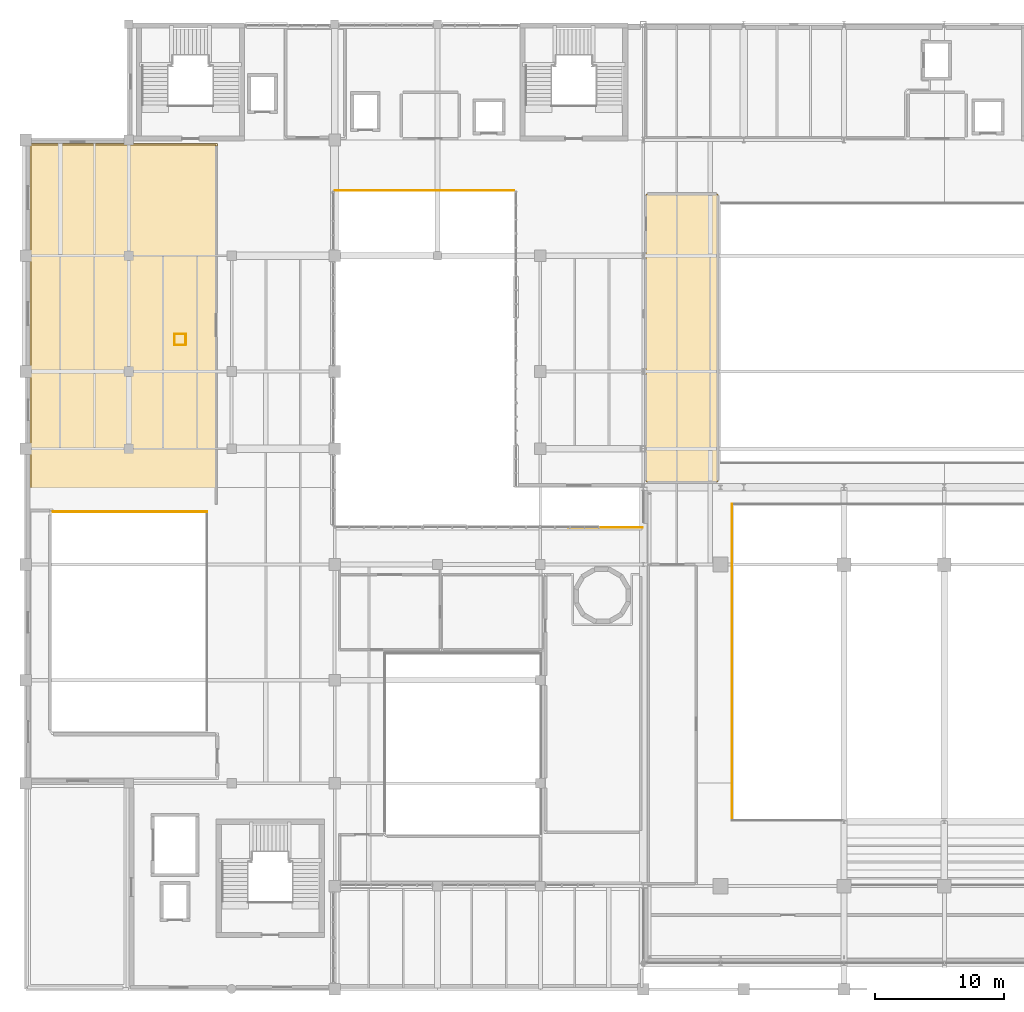
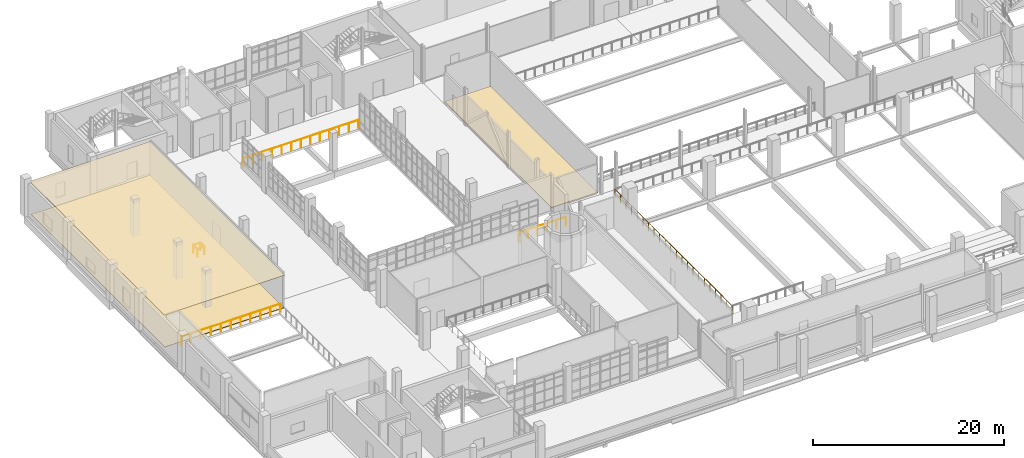
# One storey, part 99 of 102: 8 railings, 3 coverings.
"""IFC4 building model written with IfcOpenShell, lengths in metres."""

import ifcopenshell
import ifcopenshell.guid

model = None  # the IFC model being written
_history = None  # IfcOwnerHistory: only IFC2X3 demands one
_inside = {}  # id of a spatial element -> (the spatial element, [elements in it])
_under = {}  # id of a project, library or spatial element -> (it, [spatial elements below it])
_declared = {}  # id of a project -> (the project, [libraries it declares])
_typed = {}  # id of a type object -> (the type object, [elements of that type])
_made_of = {}  # id of a material, layer set ... -> (it, [elements and type objects made of it])


def new_model(schema):
    """Start an empty IFC model of exactly this schema.

    Asked for "IFC4X3", IfcOpenShell would pick the latest addendum, in which some entities
    have other attributes; the version numbers below select the first issue.
    IFC2X3 requires an IfcOwnerHistory on every rooted entity: one is made here for all.
    """
    global model, _history
    if schema == "IFC4X3":
        model = ifcopenshell.file(schema_version=(4, 3, 0, 0))
    else:
        model = ifcopenshell.file(schema=schema)
    _inside.clear()
    _under.clear()
    _declared.clear()
    _typed.clear()
    _made_of.clear()
    _history = None
    if model.schema == "IFC2X3":
        org = make("IfcOrganization", Name="unknown")
        user = make(
            "IfcPersonAndOrganization",
            ThePerson=make("IfcPerson", FamilyName="unknown"),
            TheOrganization=org,
        )
        app = make(
            "IfcApplication",
            ApplicationDeveloper=org,
            Version="unknown",
            ApplicationFullName="unknown",
            ApplicationIdentifier="unknown",
        )
        _history = make(
            "IfcOwnerHistory",
            OwningUser=user,
            OwningApplication=app,
            ChangeAction="ADDED",
            CreationDate=0,
        )
    return model


def make(cls, **values):
    """One entity of the class cls with the attributes given. An attribute that is None is left unset."""
    return model.create_entity(
        cls, **{name: value for name, value in values.items() if value is not None}
    )


def rooted(cls, **values):
    """An entity with a GlobalId (a new one), such as an element, a storey or a relation."""
    return make(cls, GlobalId=ifcopenshell.guid.new(), OwnerHistory=_history, **values)


def si_unit(unit_type, name, prefix=None):
    """IfcSIUnit, for example si_unit("LENGTHUNIT", "METRE", prefix="MILLI")."""
    return make("IfcSIUnit", UnitType=unit_type, Prefix=prefix, Name=name)


def derived_unit(unit_type, elements):
    """IfcDerivedUnit: a product of units, each with its exponent."""
    return make(
        "IfcDerivedUnit",
        Elements=[
            make("IfcDerivedUnitElement", Unit=unit, Exponent=power)
            for unit, power in elements
        ],
        UnitType=unit_type,
    )


def assignment(units):
    """IfcUnitAssignment: the units of a project."""
    return None if units is None else make("IfcUnitAssignment", Units=units)


def point(xyz):
    """IfcCartesianPoint."""
    return None if xyz is None else make("IfcCartesianPoint", Coordinates=xyz)


def direction(xyz):
    """IfcDirection."""
    return None if xyz is None else make("IfcDirection", DirectionRatios=xyz)


def frame(location, z_axis=None, x_axis=None):
    """IfcAxis2Placement3D, a coordinate frame: its origin and axes. An axis left out is left unset."""
    return make(
        "IfcAxis2Placement3D",
        Location=point(location),
        Axis=direction(z_axis),
        RefDirection=direction(x_axis),
    )


def frame_2d(location, x_axis=None):
    """IfcAxis2Placement2D, a coordinate frame in the plane: its origin and x axis."""
    return make(
        "IfcAxis2Placement2D", Location=point(location), RefDirection=direction(x_axis)
    )


def origin():
    """The frame at (0, 0, 0) with its axes left unset."""
    return frame((0.0, 0.0, 0.0))


def origin_2d():
    """The frame at (0, 0) in the plane with its x axis left unset."""
    return frame_2d((0.0, 0.0))


def place(relative_to, where):
    """IfcLocalPlacement: puts the frame where relative to a parent placement (None: the world)."""
    return make(
        "IfcLocalPlacement", PlacementRelTo=relative_to, RelativePlacement=where
    )


def context(
    kind, dimensions, precision=None, world=None, true_north=None, identifier=None
):
    """IfcGeometricRepresentationContext, for example the 3D "Model" context."""
    return make(
        "IfcGeometricRepresentationContext",
        ContextIdentifier=identifier,
        ContextType=kind,
        CoordinateSpaceDimension=dimensions,
        Precision=precision,
        WorldCoordinateSystem=world,
        TrueNorth=true_north,
    )


def subcontext(parent, identifier, kind, view, scale=None):
    """IfcGeometricRepresentationSubContext, for example "Body" below "Model"."""
    return make(
        "IfcGeometricRepresentationSubContext",
        ContextIdentifier=identifier,
        ContextType=kind,
        ParentContext=parent,
        TargetScale=scale,
        TargetView=view,
    )


def project(units=None, contexts=None):
    """IfcProject with its units and contexts."""
    return rooted(
        "IfcProject",
        Name="project",
        RepresentationContexts=contexts,
        UnitsInContext=assignment(units),
    )


def spatial(cls, under=None, at=None, **own):
    """A site, building, storey or space (cls), placed at a placement, below another one or the project."""
    s = rooted(cls, ObjectPlacement=at, **own)
    if under is not None:
        _under.setdefault(under.id(), (under, []))[1].append(s)
    return s


def polyline(points):
    """IfcPolyline through the points."""
    return make("IfcPolyline", Points=[point(p) for p in points])


def profile(cls, at=None, kind="AREA", **sizes):
    """A parametric profile (cls). Its sizes go by their IFC names, for example OverallWidth=200.0."""
    return make(cls, ProfileType=kind, Position=at, **sizes)


def circle(**sizes):
    """IfcCircleProfileDef."""
    return profile("IfcCircleProfileDef", **sizes)


def outline(outer, holes=None, kind="AREA"):
    """IfcArbitraryClosedProfileDef: a profile drawn as a closed curve; with holes, ...WithVoids."""
    if holes is None:
        return make("IfcArbitraryClosedProfileDef", ProfileType=kind, OuterCurve=outer)
    return make(
        "IfcArbitraryProfileDefWithVoids",
        ProfileType=kind,
        OuterCurve=outer,
        InnerCurves=holes,
    )


def extrude(swept, where, along, depth):
    """IfcExtrudedAreaSolid: the profile swept, set in the frame where, extruded along a direction by depth."""
    return make(
        "IfcExtrudedAreaSolid",
        SweptArea=swept,
        Position=where,
        ExtrudedDirection=direction(along),
        Depth=depth,
    )


def shape(context_of_items, identifier, shape_type, items):
    """IfcShapeRepresentation: the items that make up one representation, for example the "Body"."""
    return make(
        "IfcShapeRepresentation",
        ContextOfItems=context_of_items,
        RepresentationIdentifier=identifier,
        RepresentationType=shape_type,
        Items=items,
    )


def material(Name=None, Category=None):
    """IfcMaterial."""
    return make("IfcMaterial", Name=Name, Category=Category)


def layer(
    of_material, thickness, ventilated=None, Name=None, Category=None, Priority=None
):
    """IfcMaterialLayer: one layer of a wall or slab, of a material (None: an air gap)."""
    return make(
        "IfcMaterialLayer",
        Material=of_material,
        LayerThickness=thickness,
        IsVentilated=ventilated,
        Name=Name,
        Category=Category,
        Priority=Priority,
    )


def layer_set(layers, Name=None):
    """IfcMaterialLayerSet."""
    return make("IfcMaterialLayerSet", MaterialLayers=layers, LayerSetName=Name)


def made_of(thing, what):
    """Note that an element or type object is made of a material, layer set ...; save() writes the relation."""
    if what is not None:
        _made_of.setdefault(what.id(), (what, []))[1].append(thing)
    return thing


def type_object(cls, material=None, **own):
    """A type object (cls), such as IfcWallType, which elements share."""
    return made_of(rooted(cls, **own), material)


def element(
    cls,
    number,
    at=None,
    inside=None,
    cuts=None,
    type_object=None,
    material=None,
    context=None,
    identifier="Body",
    shape_type=None,
    held_by="IfcProductDefinitionShape",
    body=None,
    shapes=None,
    **own,
):
    """One element of the class cls, such as IfcWall. Its Tag is "e" and its number.

    at: its placement. inside: the storey or other place that contains it. cuts: it is an
    opening in that element (IfcRelVoidsElement). A single representation is given by context,
    identifier, shape_type and body (its items); several are given by shapes. held_by: the class
    of the entity that holds the representations. save() writes the other relations.
    """
    e = rooted(cls, Tag="e%d" % number, ObjectPlacement=at, **own)
    if body is not None:
        shapes = [shape(context, identifier, shape_type, body)]
    if shapes is not None:
        e.Representation = make(held_by, Representations=shapes)
    if inside is not None:
        _inside.setdefault(inside.id(), (inside, []))[1].append(e)
    if cuts is not None:
        rooted(
            "IfcRelVoidsElement", RelatingBuildingElement=cuts, RelatedOpeningElement=e
        )
    if type_object is not None:
        _typed.setdefault(type_object.id(), (type_object, []))[1].append(e)
    return made_of(e, material)


def aggregate(whole, parts):
    """IfcRelAggregates: a whole, such as a stair, and the parts it consists of."""
    return rooted("IfcRelAggregates", RelatingObject=whole, RelatedObjects=parts)


def save(model, path):
    """Write the relations noted so far, then the file.

    IfcRelAggregates (storeys below a building ...), IfcRelContainedInSpatialStructure (elements
    in a storey), IfcRelDefinesByType, IfcRelAssociatesMaterial and IfcRelDeclares: one each for
    every whole, place, type object, material and project.
    """
    for whole, parts in _under.values():
        aggregate(whole, parts)
    for where, things in _inside.values():
        rooted(
            "IfcRelContainedInSpatialStructure",
            RelatedElements=things,
            RelatingStructure=where,
        )
    for kind, things in _typed.values():
        rooted("IfcRelDefinesByType", RelatedObjects=things, RelatingType=kind)
    for what, things in _made_of.values():
        rooted("IfcRelAssociatesMaterial", RelatedObjects=things, RelatingMaterial=what)
    for by, libraries in _declared.values():
        rooted("IfcRelDeclares", RelatingContext=by, RelatedDefinitions=libraries)
    model.write(path)


model = new_model("IFC4")

# Units and contexts
model_context = context("Model", 3, precision=1e-05, world=origin(), true_north=direction((0.0, 1.0)))
body_context = subcontext(model_context, "Body", "Model", "MODEL_VIEW")
ifc_project = project(units=[si_unit("LENGTHUNIT", "METRE"), si_unit("AREAUNIT", "SQUARE_METRE"), si_unit("VOLUMEUNIT", "CUBIC_METRE"), si_unit("PLANEANGLEUNIT", "RADIAN"), si_unit("MASSUNIT", "GRAM", prefix="KILO"), derived_unit("THERMALTRANSMITTANCEUNIT", [(si_unit("POWERUNIT", "WATT"), 1), (si_unit("LENGTHUNIT", "METRE"), -2), (si_unit("THERMODYNAMICTEMPERATUREUNIT", "KELVIN"), -1)])], contexts=[model_context])

# Site, building, storey
site_placement = place(None, origin())
site = spatial("IfcSite", under=ifc_project, at=site_placement, CompositionType="ELEMENT")
building_placement = place(site_placement, origin())
building = spatial("IfcBuilding", under=site, at=building_placement, Name="Nallur Shell Playhouse", CompositionType="ELEMENT")
storey_placement = place(building_placement, frame((0.0, 0.0, 15.0)))
storey = spatial("IfcBuildingStorey", under=building, at=storey_placement, Name="L04", CompositionType="ELEMENT", Elevation=15.0)

# Coverings
ifc_material_1 = material(Name="Micro-Perforated Teak Veneer Acoustic Baffle Ceiling")
ifc_layer_1 = layer(ifc_material_1, 0.044921875)
ifc_layer_set_1 = layer_set([ifc_layer_1], Name="Micro-Perforated Teak Veneer Acoustic Baffle Ceiling")
covering_type_1 = type_object("IfcCoveringType", Name="CV-CEIL-AC1", PredefinedType="CEILING", material=ifc_layer_set_1)
covering_1_placement = place(storey_placement, frame((0.0, 0.0, 4.205078125)))
element("IfcCovering", 1, at=covering_1_placement, inside=storey, type_object=covering_type_1, Name="Full-Stage Rehearsal Hall 01 suspended acoustic ceiling", PredefinedType="CEILING", context=body_context, shape_type="SweptSolid", body=[
    extrude(outline(polyline([(16.2900390625, 73.7099609375), (30.909912109375, 73.7099609375), (30.909912109375, 45.489990234375), (16.2900390625, 45.489990234375), (16.2900390625, 73.7099609375)])), origin(), (0.0, 0.0, 1.0), 0.044921875),
])
ifc_material_2 = material(Name="Sprung Semi-Resilient Stage & Dance Hardwood Flooring", Category="wood")
ifc_layer_2 = layer(ifc_material_2, 0.054931640625)
ifc_layer_set_2 = layer_set([ifc_layer_2], Name="Sprung Semi-Resilient Stage & Dance Hardwood Flooring")
covering_type_2 = type_object("IfcCoveringType", Name="CV-FLOR-TIMBER", PredefinedType="FLOORING", material=ifc_layer_set_2)
covering_2_placement = place(storey_placement, origin())
element("IfcCovering", 2, at=covering_2_placement, inside=storey, type_object=covering_type_2, Name="Full-Stage Rehearsal Hall 01 floor finish", PredefinedType="FLOORING", context=body_context, shape_type="SweptSolid", body=[
    extrude(outline(polyline([(16.39990234375, 73.60009765625), (30.800048828125, 73.60009765625), (30.800048828125, 45.60009765625), (16.39990234375, 45.60009765625), (16.39990234375, 73.60009765625)])), origin(), (0.0, 0.0, 1.0), 0.054931640625),
])
covering_3_placement = place(storey_placement, origin())
element("IfcCovering", 3, at=covering_3_placement, inside=storey, type_object=covering_type_2, Name="Stage Upper Counterweight Loading Gallery floor finish", PredefinedType="FLOORING", context=body_context, shape_type="SweptSolid", body=[
    extrude(outline(polyline([(64.199951171875, 69.800048828125), (69.800048828125, 69.800048828125), (69.800048828125, 47.39990234375), (64.199951171875, 47.39990234375), (64.199951171875, 69.800048828125)])), origin(), (0.0, 0.0, 1.0), 0.054931640625),
])

# Railings
ifc_material_3 = material(Name="Bronze-Anodised Foyer Void Acoustic Glass Guardrail", Category="glass")
railing_type_1 = type_object("IfcRailingType", Name="RL-BAL-1100", PredefinedType="BALUSTRADE", material=ifc_material_3)
railing_1_placement = place(storey_placement, frame((70.89990234375, 45.699951171875, 0.0)))
element("IfcRailing", 4, at=railing_1_placement, inside=storey, type_object=railing_type_1, Name="L04 interior void balustrade 018", PredefinedType="BALUSTRADE", context=body_context, shape_type="SweptSolid", body=[
    extrude(circle(Radius=0.02392578125, at=origin_2d()), frame((0.0, 0.0, 1.09619140625), z_axis=(0.0, -1.0, 0.0), x_axis=(1.0, 0.0, 0.0)), (0.0, 0.0, 1.0), 24.599853515625),
    extrude(circle(Radius=0.02099609375, at=origin_2d()), origin(), (0.0, 0.0, 1.0), 1.072021484375),
    extrude(circle(Radius=0.02099609375, at=origin_2d()), frame((0.0, -1.17138671875, 0.0)), (0.0, 0.0, 1.0), 1.072021484375),
    extrude(circle(Radius=0.02099609375, at=origin_2d()), frame((0.0, -2.3427734375, 0.0)), (0.0, 0.0, 1.0), 1.072021484375),
    extrude(circle(Radius=0.02099609375, at=origin_2d()), frame((0.0, -3.51416015625, 0.0)), (0.0, 0.0, 1.0), 1.072021484375),
    extrude(circle(Radius=0.02099609375, at=origin_2d()), frame((0.0, -4.685791015625, 0.0)), (0.0, 0.0, 1.0), 1.072021484375),
    extrude(circle(Radius=0.02099609375, at=origin_2d()), frame((0.0, -5.857177734375, 0.0)), (0.0, 0.0, 1.0), 1.072021484375),
    extrude(circle(Radius=0.02099609375, at=origin_2d()), frame((0.0, -7.028564453125, 0.0)), (0.0, 0.0, 1.0), 1.072021484375),
    extrude(circle(Radius=0.02099609375, at=origin_2d()), frame((0.0, -8.199951171875, 0.0)), (0.0, 0.0, 1.0), 1.072021484375),
    extrude(circle(Radius=0.02099609375, at=origin_2d()), frame((0.0, -9.371337890625, 0.0)), (0.0, 0.0, 1.0), 1.072021484375),
    extrude(circle(Radius=0.02099609375, at=origin_2d()), frame((0.0, -10.542724609375, 0.0)), (0.0, 0.0, 1.0), 1.072021484375),
    extrude(circle(Radius=0.02099609375, at=origin_2d()), frame((0.0, -11.714111328125, 0.0)), (0.0, 0.0, 1.0), 1.072021484375),
    extrude(circle(Radius=0.02099609375, at=origin_2d()), frame((0.0, -12.8857421875, 0.0)), (0.0, 0.0, 1.0), 1.072021484375),
    extrude(circle(Radius=0.02099609375, at=origin_2d()), frame((0.0, -14.05712890625, 0.0)), (0.0, 0.0, 1.0), 1.072021484375),
    extrude(circle(Radius=0.02099609375, at=origin_2d()), frame((0.0, -15.228515625, 0.0)), (0.0, 0.0, 1.0), 1.072021484375),
    extrude(circle(Radius=0.02099609375, at=origin_2d()), frame((0.0, -16.39990234375, 0.0)), (0.0, 0.0, 1.0), 1.072021484375),
    extrude(circle(Radius=0.02099609375, at=origin_2d()), frame((0.0, -17.5712890625, 0.0)), (0.0, 0.0, 1.0), 1.072021484375),
    extrude(circle(Radius=0.02099609375, at=origin_2d()), frame((0.0, -18.74267578125, 0.0)), (0.0, 0.0, 1.0), 1.072021484375),
    extrude(circle(Radius=0.02099609375, at=origin_2d()), frame((0.0, -19.9140625, 0.0)), (0.0, 0.0, 1.0), 1.072021484375),
    extrude(circle(Radius=0.02099609375, at=origin_2d()), frame((0.0, -21.085693359375, 0.0)), (0.0, 0.0, 1.0), 1.072021484375),
    extrude(circle(Radius=0.02099609375, at=origin_2d()), frame((0.0, -22.257080078125, 0.0)), (0.0, 0.0, 1.0), 1.072021484375),
    extrude(circle(Radius=0.02099609375, at=origin_2d()), frame((0.0, -23.428466796875, 0.0)), (0.0, 0.0, 1.0), 1.072021484375),
    extrude(circle(Radius=0.02099609375, at=origin_2d()), frame((0.0, -24.599853515625, 0.0)), (0.0, 0.0, 1.0), 1.072021484375),
])
railing_2_placement = place(storey_placement, frame((30.10009765625, 45.10009765625, 0.0)))
element("IfcRailing", 5, at=railing_2_placement, inside=storey, type_object=railing_type_1, Name="L04 interior void balustrade 025", PredefinedType="BALUSTRADE", context=body_context, shape_type="SweptSolid", body=[
    extrude(circle(Radius=0.02392578125, at=origin_2d()), frame((0.0, 0.0, 1.09619140625), z_axis=(-1.0, 0.0, 0.0), x_axis=(0.0, -1.0, 0.0)), (0.0, 0.0, 1.0), 11.98388671875),
    extrude(circle(Radius=0.02099609375, at=origin_2d()), origin(), (0.0, 0.0, 1.0), 1.072021484375),
    extrude(circle(Radius=0.02099609375, at=origin_2d()), frame((-1.198486328125, 0.0, 0.0)), (0.0, 0.0, 1.0), 1.072021484375),
    extrude(circle(Radius=0.02099609375, at=origin_2d()), frame((-2.396728515625, 0.0, 0.0)), (0.0, 0.0, 1.0), 1.072021484375),
    extrude(circle(Radius=0.02099609375, at=origin_2d()), frame((-3.59521484375, 0.0, 0.0)), (0.0, 0.0, 1.0), 1.072021484375),
    extrude(circle(Radius=0.02099609375, at=origin_2d()), frame((-4.79345703125, 0.0, 0.0)), (0.0, 0.0, 1.0), 1.072021484375),
    extrude(circle(Radius=0.02099609375, at=origin_2d()), frame((-5.991943359375, 0.0, 0.0)), (0.0, 0.0, 1.0), 1.072021484375),
    extrude(circle(Radius=0.02099609375, at=origin_2d()), frame((-7.1904296875, 0.0, 0.0)), (0.0, 0.0, 1.0), 1.072021484375),
    extrude(circle(Radius=0.02099609375, at=origin_2d()), frame((-8.388671875, 0.0, 0.0)), (0.0, 0.0, 1.0), 1.072021484375),
    extrude(circle(Radius=0.02099609375, at=origin_2d()), frame((-9.587158203125, 0.0, 0.0)), (0.0, 0.0, 1.0), 1.072021484375),
    extrude(circle(Radius=0.02099609375, at=origin_2d()), frame((-10.785400390625, 0.0, 0.0)), (0.0, 0.0, 1.0), 1.072021484375),
    extrude(circle(Radius=0.02099609375, at=origin_2d()), frame((-11.98388671875, 0.0, 0.0)), (0.0, 0.0, 1.0), 1.072021484375),
])
ifc_material_4 = material(Name="Brushed Stainless Steel 316 Balustrade & Toughened Infill", Category="steel")
railing_type_2 = type_object("IfcRailingType", Name="RL-GUARD-1100", PredefinedType="BALUSTRADE", material=ifc_material_4)
railing_3_placement = place(storey_placement, frame((53.9599609375, 70.080078125, 0.0)))
element("IfcRailing", 6, at=railing_3_placement, inside=storey, type_object=railing_type_2, Name="L04 courtyard bridge balustrade 57", PredefinedType="BALUSTRADE", context=body_context, shape_type="SweptSolid", body=[
    extrude(circle(Radius=0.02392578125, at=origin_2d()), frame((0.0, 0.0, 1.09619140625), z_axis=(-1.0, 0.0, 0.0), x_axis=(0.0, -1.0, 0.0)), (0.0, 0.0, 1.0), 13.919921875),
    extrude(circle(Radius=0.02099609375, at=origin_2d()), origin(), (0.0, 0.0, 1.0), 1.072021484375),
    extrude(circle(Radius=0.02099609375, at=origin_2d()), frame((-1.159912109375, 0.0, 0.0)), (0.0, 0.0, 1.0), 1.072021484375),
    extrude(circle(Radius=0.02099609375, at=origin_2d()), frame((-2.320068359375, 0.0, 0.0)), (0.0, 0.0, 1.0), 1.072021484375),
    extrude(circle(Radius=0.02099609375, at=origin_2d()), frame((-3.47998046875, 0.0, 0.0)), (0.0, 0.0, 1.0), 1.072021484375),
    extrude(circle(Radius=0.02099609375, at=origin_2d()), frame((-4.639892578125, 0.0, 0.0)), (0.0, 0.0, 1.0), 1.072021484375),
    extrude(circle(Radius=0.02099609375, at=origin_2d()), frame((-5.800048828125, 0.0, 0.0)), (0.0, 0.0, 1.0), 1.072021484375),
    extrude(circle(Radius=0.02099609375, at=origin_2d()), frame((-6.9599609375, 0.0, 0.0)), (0.0, 0.0, 1.0), 1.072021484375),
    extrude(circle(Radius=0.02099609375, at=origin_2d()), frame((-8.119873046875, 0.0, 0.0)), (0.0, 0.0, 1.0), 1.072021484375),
    extrude(circle(Radius=0.02099609375, at=origin_2d()), frame((-9.280029296875, 0.0, 0.0)), (0.0, 0.0, 1.0), 1.072021484375),
    extrude(circle(Radius=0.02099609375, at=origin_2d()), frame((-10.43994140625, 0.0, 0.0)), (0.0, 0.0, 1.0), 1.072021484375),
    extrude(circle(Radius=0.02099609375, at=origin_2d()), frame((-11.599853515625, 0.0, 0.0)), (0.0, 0.0, 1.0), 1.072021484375),
    extrude(circle(Radius=0.02099609375, at=origin_2d()), frame((-12.760009765625, 0.0, 0.0)), (0.0, 0.0, 1.0), 1.072021484375),
    extrude(circle(Radius=0.02099609375, at=origin_2d()), frame((-13.919921875, 0.0, 0.0)), (0.0, 0.0, 1.0), 1.072021484375),
])
railing_4_placement = place(storey_placement, frame((27.570068359375, 58.070068359375, 0.0)))
element("IfcRailing", 7, at=railing_4_placement, inside=storey, type_object=railing_type_2, Name="L04 service riser edge guard 091", PredefinedType="BALUSTRADE", context=body_context, shape_type="SweptSolid", body=[
    extrude(circle(Radius=0.02392578125, at=origin_2d()), frame((0.0, 0.0, 1.09619140625), z_axis=(1.0, 0.0, 0.0), x_axis=(0.0, 1.0, 0.0)), (0.0, 0.0, 1.0), 0.85986328125),
    extrude(circle(Radius=0.02099609375, at=origin_2d()), origin(), (0.0, 0.0, 1.0), 1.072021484375),
    extrude(circle(Radius=0.02099609375, at=origin_2d()), frame((0.85986328125, 0.0, 0.0)), (0.0, 0.0, 1.0), 1.072021484375),
])
railing_5_placement = place(storey_placement, frame((28.429931640625, 58.070068359375, 0.0)))
element("IfcRailing", 8, at=railing_5_placement, inside=storey, type_object=railing_type_2, Name="L04 service riser edge guard 092", PredefinedType="BALUSTRADE", context=body_context, shape_type="SweptSolid", body=[
    extrude(circle(Radius=0.02392578125, at=origin_2d()), frame((0.0, 0.0, 1.09619140625), z_axis=(0.0, 1.0, 0.0), x_axis=(-1.0, 0.0, 0.0)), (0.0, 0.0, 1.0), 0.85986328125),
    extrude(circle(Radius=0.02099609375, at=origin_2d()), origin(), (0.0, 0.0, 1.0), 1.072021484375),
    extrude(circle(Radius=0.02099609375, at=origin_2d()), frame((0.0, 0.85986328125, 0.0)), (0.0, 0.0, 1.0), 1.072021484375),
])
railing_6_placement = place(storey_placement, frame((28.429931640625, 58.929931640625, 0.0)))
element("IfcRailing", 9, at=railing_6_placement, inside=storey, type_object=railing_type_2, Name="L04 service riser edge guard 093", PredefinedType="BALUSTRADE", context=body_context, shape_type="SweptSolid", body=[
    extrude(circle(Radius=0.02392578125, at=origin_2d()), frame((0.0, 0.0, 1.09619140625), z_axis=(-1.0, 0.0, 0.0), x_axis=(0.0, -1.0, 0.0)), (0.0, 0.0, 1.0), 0.85986328125),
    extrude(circle(Radius=0.02099609375, at=origin_2d()), origin(), (0.0, 0.0, 1.0), 1.072021484375),
    extrude(circle(Radius=0.02099609375, at=origin_2d()), frame((-0.85986328125, 0.0, 0.0)), (0.0, 0.0, 1.0), 1.072021484375),
])
railing_7_placement = place(storey_placement, frame((27.570068359375, 58.929931640625, 0.0)))
element("IfcRailing", 10, at=railing_7_placement, inside=storey, type_object=railing_type_2, Name="L04 service riser edge guard 094", PredefinedType="BALUSTRADE", context=body_context, shape_type="SweptSolid", body=[
    extrude(circle(Radius=0.02392578125, at=origin_2d()), frame((0.0, 0.0, 1.09619140625), z_axis=(0.0, -1.0, 0.0), x_axis=(1.0, 0.0, 0.0)), (0.0, 0.0, 1.0), 0.85986328125),
    extrude(circle(Radius=0.02099609375, at=origin_2d()), origin(), (0.0, 0.0, 1.0), 1.072021484375),
    extrude(circle(Radius=0.02099609375, at=origin_2d()), frame((0.0, -0.85986328125, 0.0)), (0.0, 0.0, 1.0), 1.072021484375),
])
railing_8_placement = place(storey_placement, frame((58.199951171875, 43.8798828125, 0.0)))
element("IfcRailing", 11, at=railing_8_placement, inside=storey, type_object=railing_type_2, Name="L04 courtyard edge balustrade at JC-7", PredefinedType="BALUSTRADE", context=body_context, shape_type="SweptSolid", body=[
    extrude(circle(Radius=0.02392578125, at=origin_2d()), frame((0.0, 0.0, 1.09619140625), z_axis=(1.0, 0.0, 0.0), x_axis=(0.0, 1.0, 0.0)), (0.0, 0.0, 1.0), 5.719970703125),
    extrude(circle(Radius=0.02099609375, at=origin_2d()), origin(), (0.0, 0.0, 1.0), 1.072021484375),
    extrude(circle(Radius=0.02099609375, at=origin_2d()), frame((1.14404296875, 0.0, 0.0)), (0.0, 0.0, 1.0), 1.072021484375),
    extrude(circle(Radius=0.02099609375, at=origin_2d()), frame((2.2880859375, 0.0, 0.0)), (0.0, 0.0, 1.0), 1.072021484375),
    extrude(circle(Radius=0.02099609375, at=origin_2d()), frame((3.431884765625, 0.0, 0.0)), (0.0, 0.0, 1.0), 1.072021484375),
    extrude(circle(Radius=0.02099609375, at=origin_2d()), frame((4.575927734375, 0.0, 0.0)), (0.0, 0.0, 1.0), 1.072021484375),
    extrude(circle(Radius=0.02099609375, at=origin_2d()), frame((5.719970703125, 0.0, 0.0)), (0.0, 0.0, 1.0), 1.072021484375),
])

save(model, "model.ifc")
